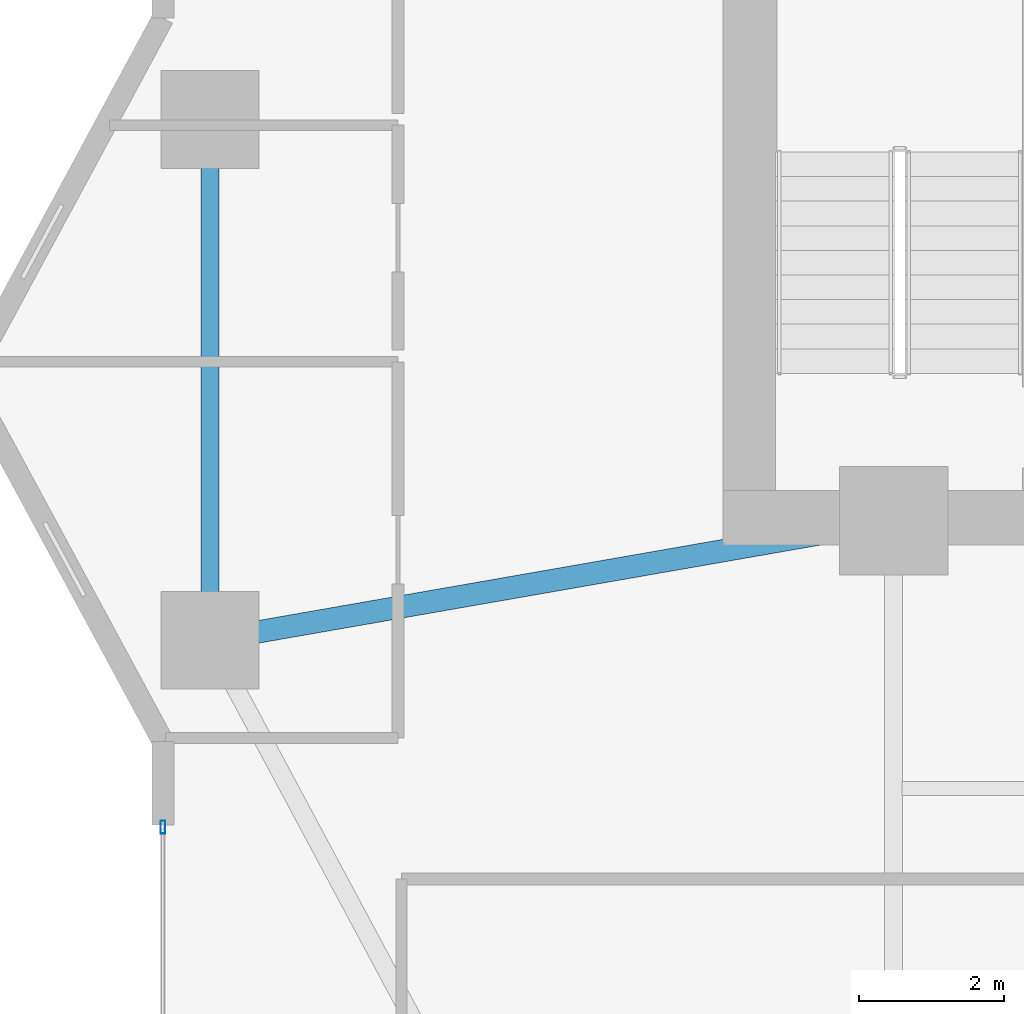
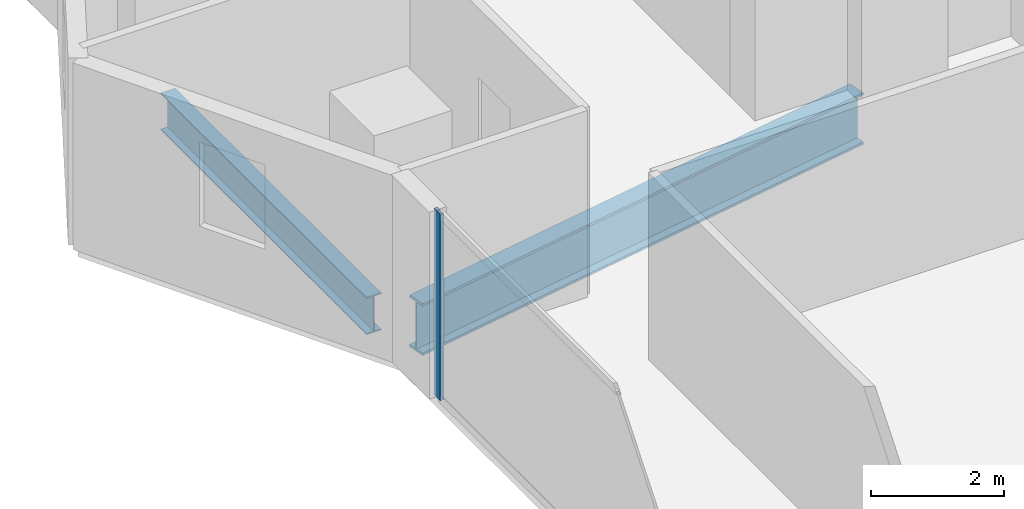
# One storey, part 7 of 29: 2 beams, 1 member, 1 element without a shape of its own.
"""IFC4 building model written with IfcOpenShell, lengths in metres."""

from ifc_helpers import new_model, si_unit, direction, frame, origin, origin_2d, place, context, subcontext, project, spatial, hollow_rectangle, i_section, extrude, material, layer, layer_set, material_profile, profile_set, type_object, element, aggregate, save


model = new_model("IFC4")

# Units and contexts
model_context = context("Model", 3, precision=1e-05, world=origin(), true_north=direction((0.0, 1.0)))
body_context = subcontext(model_context, "Body", "Model", "MODEL_VIEW")
ifc_project = project(units=[si_unit("LENGTHUNIT", "METRE"), si_unit("AREAUNIT", "SQUARE_METRE"), si_unit("VOLUMEUNIT", "CUBIC_METRE"), si_unit("PLANEANGLEUNIT", "RADIAN"), si_unit("MASSUNIT", "GRAM", prefix="KILO")], contexts=[model_context])

# Site, building, storey
site_placement = place(None, origin())
site = spatial("IfcSite", under=ifc_project, at=site_placement, CompositionType="ELEMENT")
building_placement = place(site_placement, origin())
building = spatial("IfcBuilding", under=site, at=building_placement, Name="Zuhayl Quay Hotel", CompositionType="ELEMENT")
storey_placement = place(building_placement, frame((0.0, 0.0, 113.89990234375)))
storey = spatial("IfcBuildingStorey", under=building, at=storey_placement, Name="L28", CompositionType="ELEMENT", Elevation=113.89990234375)

# Beams
ifc_material_1 = material(Name="Steel ASTM A992 Grade 50", Category="steel")
ifc_material_profile_1 = material_profile(ifc_material_1, i_section(OverallWidth=0.25390625, OverallDepth=0.68310546875, WebThickness=0.012451171875, FlangeThickness=0.018798828125, at=origin_2d()), Name="W27X94")
ifc_profile_set_1 = profile_set([ifc_material_profile_1], Name="Steel ASTM A992 Grade 50")
beam_type_1 = type_object("IfcBeamType", Name="BM_B2_W27X94", PredefinedType="BEAM", material=ifc_profile_set_1)
beam_1_placement = place(storey_placement, frame((-23.25, 9.60009765625, -0.5615234375), z_axis=(0.0, -1.0, 0.0), x_axis=(1.0, 0.0, 0.0)))
element("IfcBeam", 1, at=beam_1_placement, inside=storey, type_object=beam_type_1, Name="L28 Floor Beam RG_L28_11", PredefinedType="BEAM", context=body_context, shape_type="SweptSolid", body=[
    extrude(i_section(OverallWidth=0.25390625, OverallDepth=0.68310546875, WebThickness=0.012451171875, FlangeThickness=0.018798828125, at=origin_2d()), origin(), (0.0, 0.0, 1.0), 6.2001953125),
])
ifc_material_profile_2 = material_profile(ifc_material_1, i_section(OverallWidth=0.31005859375, OverallDepth=0.949951171875, WebThickness=0.0244140625, FlangeThickness=0.0439453125, at=origin_2d()), Name="W36X256")
ifc_profile_set_2 = profile_set([ifc_material_profile_2], Name="Steel ASTM A992 Grade 50")
beam_type_2 = type_object("IfcBeamType", Name="BM_PG1_W36X256", PredefinedType="BEAM", material=ifc_profile_set_2)
beam_2_placement = place(storey_placement, frame((-22.757568359375, 2.986083984375, -0.69482421875), z_axis=(0.985097302632, 0.171997977741, 0.0), x_axis=(-0.171997977741, 0.985097302632, 0.0)))
element("IfcBeam", 2, at=beam_2_placement, inside=storey, type_object=beam_type_2, Name="L28 Floor Beam FG_W_L28_1", PredefinedType="BEAM", context=body_context, shape_type="SweptSolid", body=[
    extrude(i_section(OverallWidth=0.31005859375, OverallDepth=0.949951171875, WebThickness=0.0244140625, FlangeThickness=0.0439453125, at=origin_2d()), origin(), (0.0, 0.0, 1.0), 8.64306640625),
])

# Curtain wall, member
ifc_material_2 = material(Name="Anodised Aluminium 6063-T6", Category="aluminium")
ifc_layer = layer(ifc_material_2, 0.179931640625, Name="Anodised Aluminium 6063-T6", Category="aluminium")
ifc_layer_set = layer_set([ifc_layer], Name="Anodised Aluminium 6063-T6")
curtain_wall_type = type_object("IfcCurtainWallType", Name="CW_SYS_Z2", PredefinedType="USERDEFINED", material=ifc_layer_set)
curtain_wall_placement = place(storey_placement, origin())
curtain_wall = element("IfcCurtainWall", 3, at=curtain_wall_placement, inside=storey, type_object=curtain_wall_type, Name="L28 Curtain Wall ENV_L28_E02_CW1", ObjectType="UNITISED CURTAIN WALL", PredefinedType="USERDEFINED")
ifc_material_3 = material(Name="Black-anodised aluminium 6063-T6", Category="aluminium")
ifc_material_profile_3 = material_profile(ifc_material_3, hollow_rectangle(XDim=0.06494140625, YDim=0.179931640625, WallThickness=0.00341796875, at=origin_2d()), Name="ALU180X65")
ifc_profile_set_3 = profile_set([ifc_material_profile_3], Name="Black-anodised aluminium 6063-T6")
member_type = type_object("IfcMemberType", Name="MB_CW_MUL_180", PredefinedType="MULLION", material=ifc_profile_set_3)
member_placement = place(storey_placement, frame((-23.89990234375, 0.3173828125, 0.0), z_axis=(0.0, 0.0, 1.0), x_axis=(-1.0, 0.0, 0.0)))
member = element("IfcMember", 4, at=member_placement, type_object=member_type, Name="CW-Z2 mullion 2", PredefinedType="MULLION", context=body_context, shape_type="SweptSolid", body=[
    extrude(hollow_rectangle(XDim=0.06494140625, YDim=0.179931640625, WallThickness=0.00341796875, at=origin_2d()), origin(), (0.0, 0.0, 1.0), 3.43017578125),
])
aggregate(curtain_wall, [member])

save(model, "model.ifc")
